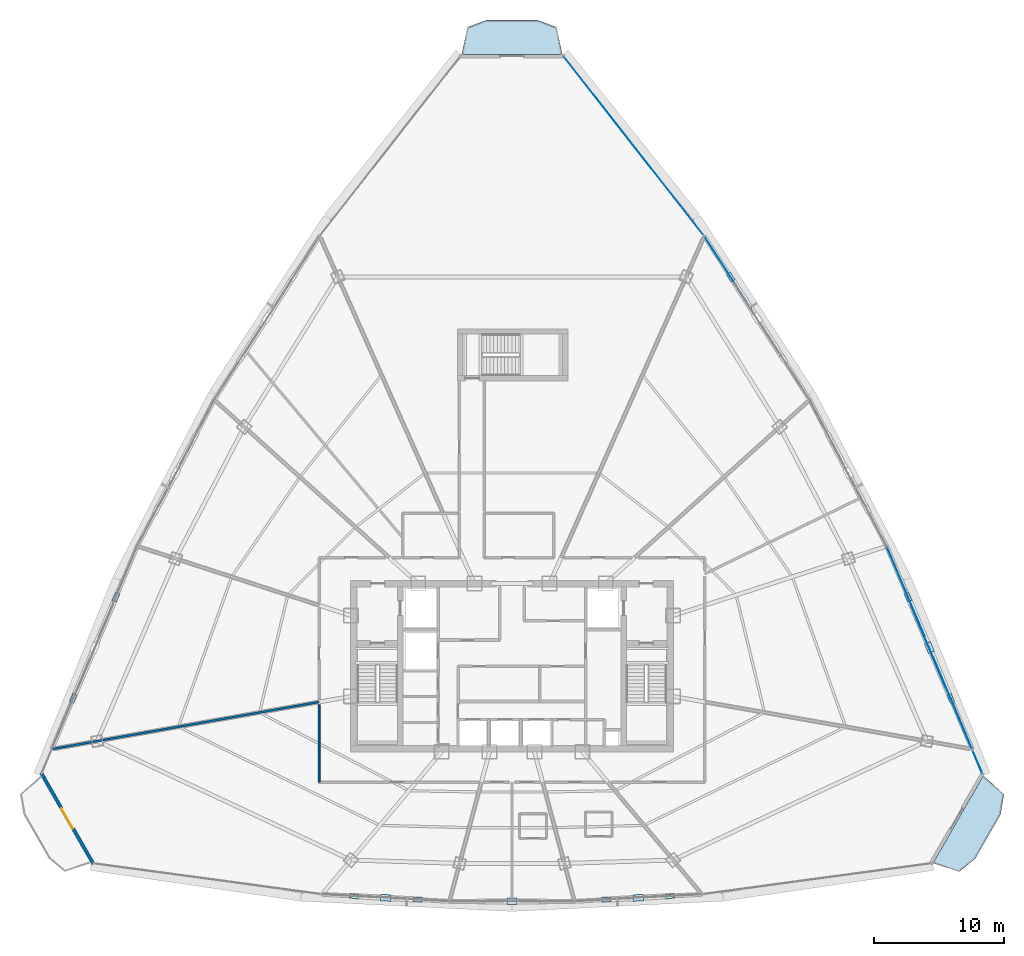
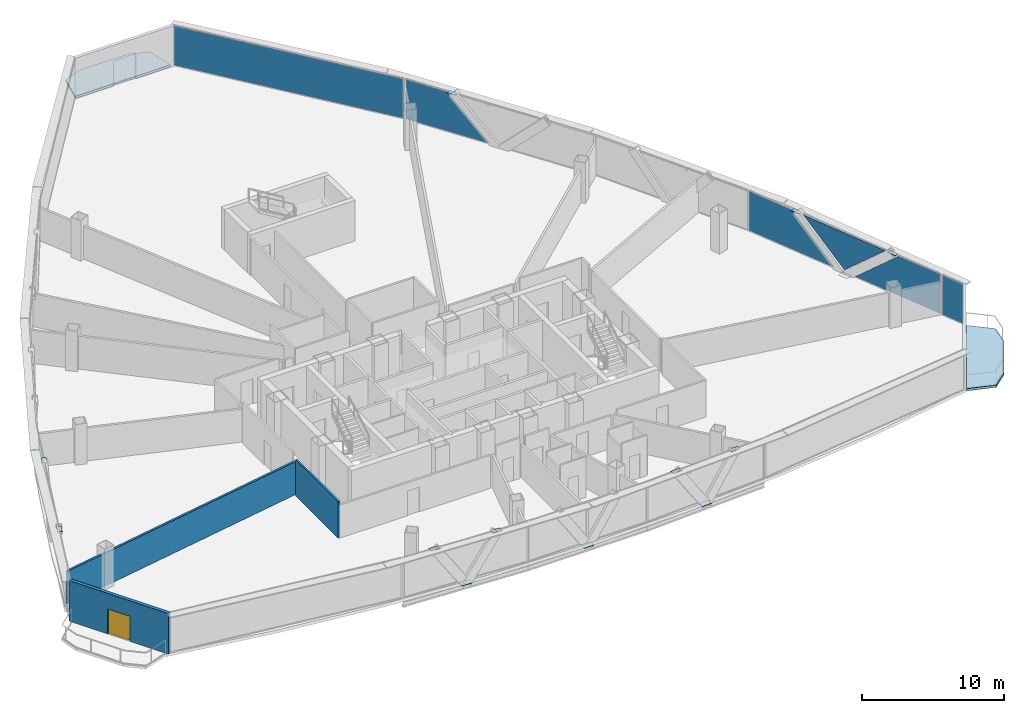
# One storey, part 26 of 34: 19 plates, 3 walls, 2 slabs, 1 door, 1 opening, 4 elements without a shape of their own.
"""IFC4 building model written with IfcOpenShell, lengths in metres."""

from ifc_helpers import new_model, si_unit, direction, frame, frame_2d, origin, origin_with_axes, origin_2d, place, context, subcontext, project, spatial, polyline, rectangle, outline, extrude, source, transform, mapped, material, layer, layer_set, type_object, element, fill, aggregate, save


model = new_model("IFC4")

# Units and contexts
model_context = context("Model", 3, precision=1e-05, world=origin(), true_north=direction((0.0, 1.0)))
body_context = subcontext(model_context, "Body", "Model", "MODEL_VIEW")
ifc_project = project(units=[si_unit("LENGTHUNIT", "METRE"), si_unit("AREAUNIT", "SQUARE_METRE"), si_unit("VOLUMEUNIT", "CUBIC_METRE"), si_unit("PLANEANGLEUNIT", "RADIAN"), si_unit("MASSUNIT", "GRAM", prefix="KILO"), si_unit("THERMODYNAMICTEMPERATUREUNIT", "KELVIN"), si_unit("POWERUNIT", "WATT")], contexts=[model_context])

# Site, building, storey
site_placement = place(None, origin())
site = spatial("IfcSite", under=ifc_project, at=site_placement, CompositionType="ELEMENT")
building_placement = place(site_placement, origin())
building = spatial("IfcBuilding", under=site, at=building_placement, Name="Yunzhuo Pagoda Commons", CompositionType="ELEMENT")
storey_placement = place(building_placement, frame((0.0, 0.0, 233.340087890625)))
storey = spatial("IfcBuildingStorey", under=building, at=storey_placement, Name="L58", CompositionType="ELEMENT", Elevation=233.340087890625)

# Curtain wall, plates
ifc_material_1 = material(Name="Anodized aluminium 6063-T6", Category="aluminium")
ifc_layer_1 = layer(ifc_material_1, 0.139892578125)
ifc_layer_set_1 = layer_set([ifc_layer_1], Name="Anodized aluminium 6063-T6")
curtain_wall_type = type_object("IfcCurtainWallType", Name="CW-HI High-Zone Ribbon Curtain Wall", PredefinedType="NOTDEFINED", material=ifc_layer_set_1)
curtain_wall_1_placement = place(storey_placement, origin())
curtain_wall_1 = element("IfcCurtainWall", 1, at=curtain_wall_1_placement, inside=storey, type_object=curtain_wall_type, Name="L58 curtain wall CW-L58-F2B2", PredefinedType="NOTDEFINED")
ifc_material_2 = material(Name="Tempered low-e double glazing", Category="glass")
ifc_layer_2 = layer(ifc_material_2, 0.02587890625)
ifc_layer_set_2 = layer_set([ifc_layer_2], Name="Tempered low-e double glazing")
plate_type_1 = type_object("IfcPlateType", Name="CW-HI-P Low-E Double Glazing 26", PredefinedType="CURTAIN_PANEL", material=ifc_layer_set_2)
plate_1_placement = place(storey_placement, frame((81.9345703125, 30.950927734375, 1.73486328125), z_axis=(0.92158893956, 0.388167266112, 0.0), x_axis=(-0.388167266112, 0.92158893956, 0.0)))
plate_1 = element("IfcPlate", 2, at=plate_1_placement, type_object=plate_type_1, Name="CW panel 1.1 lite 1", PredefinedType="CURTAIN_PANEL", context=body_context, shape_type="SweptSolid", body=[
    extrude(outline(polyline([(-3.740234375, -1.679931640625), (3.740234375, -1.679931640625), (-0.076171875, 1.679931640625), (-3.740234375, 1.679931640625), (-3.740234375, -1.679931640625)])), origin(), (0.0, 0.0, 1.0), 0.028076171875),
])
plate_2_placement = place(storey_placement, frame((80.0927734375, 35.24609375, 1.83056640625), z_axis=(0.92158893956, 0.388167266112, 0.0), x_axis=(-0.388167266112, 0.92158893956, 0.0)))
plate_2 = element("IfcPlate", 3, at=plate_2_placement, type_object=plate_type_1, Name="CW panel 1.1 lite 2", PredefinedType="CURTAIN_PANEL", context=body_context, shape_type="SweptSolid", body=[
    extrude(outline(polyline([(-3.59912109375, 1.58447265625), (0.0, -1.58447265625), (3.59912109375, 1.58447265625), (-3.59912109375, 1.58447265625)])), origin(), (0.0, 0.0, 1.0), 0.028076171875),
])
plate_3_placement = place(storey_placement, frame((78.306396484375, 39.564453125, 1.73486328125), z_axis=(0.92158893956, 0.388167266112, 0.0), x_axis=(-0.388167266112, 0.92158893956, 0.0)))
plate_3 = element("IfcPlate", 4, at=plate_3_placement, type_object=plate_type_1, Name="CW panel 1.1 lite 3", PredefinedType="CURTAIN_PANEL", context=body_context, shape_type="SweptSolid", body=[
    extrude(outline(polyline([(-3.740234375, -1.679931640625), (3.740234375, -1.679931640625), (3.740234375, 1.679931640625), (0.076171875, 1.679931640625), (-3.740234375, -1.679931640625)])), origin(), (0.0, 0.0, 1.0), 0.028076171875),
])
aggregate(curtain_wall_1, [plate_1, plate_2, plate_3])

# Curtain wall, plate
curtain_wall_2_placement = place(storey_placement, origin())
curtain_wall_2 = element("IfcCurtainWall", 5, at=curtain_wall_2_placement, inside=storey, type_object=curtain_wall_type, Name="L58 curtain wall CW-L58-F2B4", PredefinedType="NOTDEFINED")
plate_4_placement = place(storey_placement, frame((64.60546875, 64.12255859375, 1.73486328125), z_axis=(0.840807373352, 0.541334426133, 0.0), x_axis=(-0.541334426133, 0.840807373352, 0.0)))
plate_4 = element("IfcPlate", 6, at=plate_4_placement, type_object=plate_type_1, Name="CW panel 1.1 lite 3", PredefinedType="CURTAIN_PANEL", context=body_context, shape_type="SweptSolid", body=[
    extrude(outline(polyline([(-3.29150390625, -1.679931640625), (3.29150390625, -1.679931640625), (3.29150390625, 1.679931640625), (0.085693359375, 1.679931640625), (-3.29150390625, -1.679931640625)])), origin(), (0.0, 0.0, 1.0), 0.028076171875),
])
aggregate(curtain_wall_2, [plate_4])

# Slabs
ifc_material_3 = material(Name="Concrete C40", Category="concrete")
ifc_layer_3 = layer(ifc_material_3, 0.199951171875)
ifc_layer_set_3 = layer_set([ifc_layer_3], Name="Concrete C40")
slab_type = type_object("IfcSlabType", Name="SL-BAL Vertex Balcony Deck Slab 200", PredefinedType="FLOOR", material=ifc_layer_set_3)
slab_1_placement = place(storey_placement, frame((0.0, 0.0, -0.2001953125)))
element("IfcSlab", 7, at=slab_1_placement, inside=storey, type_object=slab_type, Name="L58 corner balcony V2", PredefinedType="FLOOR", context=body_context, shape_type="SweptSolid", body=[
    extrude(outline(polyline([(80.411865234375, 18.67041015625), (84.282470703125, 25.412109375), (85.875244140625, 23.978515625), (85.608642578125, 22.40966796875), (83.67333984375, 19.038818359375), (82.45263671875, 18.017578125), (80.411865234375, 18.67041015625)])), origin(), (0.0, 0.0, 1.0), 0.2001953125),
])
slab_2_placement = place(storey_placement, frame((0.0, 0.0, -0.2001953125)))
element("IfcSlab", 8, at=slab_2_placement, inside=storey, type_object=slab_type, Name="L58 corner balcony V3", PredefinedType="FLOOR", context=body_context, shape_type="SweptSolid", body=[
    extrude(outline(polyline([(51.870849609375, 80.93701171875), (44.129150390625, 80.93701171875), (44.5791015625, 83.031982421875), (46.064697265625, 83.581787109375), (49.935302734375, 83.581787109375), (51.4208984375, 83.031982421875), (51.870849609375, 80.93701171875)])), origin(), (0.0, 0.0, 1.0), 0.2001953125),
])

# Plates
ifc_material_4 = material(Name="Structural steel Q355B", Category="steel")
ifc_layer_4 = layer(ifc_material_4, 0.028076171875)
ifc_layer_set_4 = layer_set([ifc_layer_4], Name="Structural steel Q355B")
plate_type_2 = type_object("IfcPlateType", Name="SP-ND1 Lattice Node Cap Plate 800x500x28", PredefinedType="USERDEFINED", material=ifc_layer_set_4)
shared_shape_1 = source(origin(), body_context, "Body", "SweptSolid", [
    extrude(rectangle(XDim=0.800048828125, YDim=0.5, at=origin_2d()), origin(), (0.0, 0.0, 1.0), 0.028076171875),
])
for number, where, z_axis, x_axis, name in (
    (9, (38.281494140625, 16.00341796875, -0.27392578125), (0.0, 0.0, 1.0), (0.998487178719, -0.054985033724, 0.0), "L58 diamond node plate F1.1A"),
    (10, (48.0, 15.7333984375, -0.27392578125), (0.0, 0.0, 1.0), (1.0, 0.0, 0.0), "L58 diamond node plate F1.2A"),
    (11, (57.718505859375, 16.00341796875, -0.27392578125), (0.0, 0.0, 1.0), (0.998487178719, 0.054985033724, 0.0), "L58 diamond node plate F1.3A"),
    (12, (80.13330078125, 35.26318359375, -0.27392578125), (0.0, 0.0, 1.0), (-0.388175158617, 0.921585615248, 0.0), "L58 diamond node plate F2.1A"),
):
    element("IfcPlate", number, at=place(storey_placement, frame(where, z_axis=z_axis, x_axis=x_axis)), inside=storey, type_object=plate_type_2, Name=name, ObjectType="STIFFENER_PLATE", PredefinedType="USERDEFINED", context=body_context, shape_type="MappedRepresentation", body=[
        mapped(shared_shape_1, transform((0.0, 0.0, 0.0), scale=1.0)),
    ])
shared_shape_2 = source(origin(), body_context, "Body", "SweptSolid", [
    extrude(rectangle(XDim=0.699951171875, YDim=0.35009765625, at=origin_2d()), origin(), (0.0, 0.0, 1.0), 0.035888671875),
])
for number, where, z_axis, x_axis, name in (
    (13, (35.829345703125, 16.138427734375, 3.43212890625), (0.0, 0.0, 1.0), (0.998487178719, -0.054985033724, 0.0), "L58 setback lattice tie plate F1.1L"),
    (14, (40.733642578125, 15.868408203125, 3.43212890625), (0.0, 0.0, 1.0), (0.998487178719, -0.054985033724, 0.0), "L58 setback lattice tie plate F1.1R"),
    (15, (55.266357421875, 15.868408203125, 3.43212890625), (0.0, 0.0, 1.0), (0.998487178719, 0.054985033724, 0.0), "L58 setback lattice tie plate F1.3L"),
    (16, (60.170654296875, 16.138427734375, 3.43212890625), (0.0, 0.0, 1.0), (0.998487178719, 0.054985033724, 0.0), "L58 setback lattice tie plate F1.3R"),
    (17, (81.778076171875, 31.358642578125, 3.43212890625), (0.0, 0.0, 1.0), (-0.388175158617, 0.921585615248, 0.0), "L58 setback lattice tie plate F2.1L"),
    (18, (78.48876953125, 39.16748046875, 3.43212890625), (0.0, 0.0, 1.0), (-0.388175158617, 0.921585615248, 0.0), "L58 setback lattice tie plate F2.1R"),
    (19, (64.83251953125, 63.795654296875, 3.43212890625), (0.0, 0.0, 1.0), (-0.541341392357, 0.840802888269, 0.0), "L58 setback lattice tie plate F2.3R"),
    (20, (17.51123046875, 39.16748046875, 3.43212890625), (0.0, 0.0, 1.0), (-0.388175158617, -0.921585615248, 0.0), "L58 setback lattice tie plate F3.3L"),
    (21, (14.221923828125, 31.358642578125, 3.43212890625), (0.0, 0.0, 1.0), (-0.388175158617, -0.921585615248, 0.0), "L58 setback lattice tie plate F3.3R"),
):
    element("IfcPlate", number, at=place(storey_placement, frame(where, z_axis=z_axis, x_axis=x_axis)), inside=storey, type_object=plate_type_2, Name=name, ObjectType="STIFFENER_PLATE", PredefinedType="USERDEFINED", context=body_context, shape_type="MappedRepresentation", body=[
        mapped(shared_shape_2, transform((0.0, 0.0, 0.0), scale=1.0)),
    ])

# Curtain wall, plate
curtain_wall_3_placement = place(storey_placement, origin())
curtain_wall_3 = element("IfcCurtainWall", 22, at=curtain_wall_3_placement, inside=storey, type_object=curtain_wall_type, Name="L58 curtain wall CW-L58-F2B1", PredefinedType="NOTDEFINED")
shared_shape_3 = source(origin(), body_context, "Body", "SweptSolid", [
    extrude(rectangle(XDim=1.85595703125, YDim=0.028076171875, at=origin_2d()), origin(), (0.0, 0.0, 1.0), 3.360107421875),
])
plate_5_placement = place(storey_placement, frame((83.83203125, 26.47314453125, 0.0546875), z_axis=(0.0, 0.0, 1.0), x_axis=(-0.385344767667, 0.922772675165, 0.0)))
plate_5 = element("IfcPlate", 23, at=plate_5_placement, type_object=plate_type_1, Name="CW panel 1.1", PredefinedType="CURTAIN_PANEL", context=body_context, shape_type="MappedRepresentation", body=[
    mapped(shared_shape_3, transform((0.0, 0.0, 0.0), scale=1.0)),
])
aggregate(curtain_wall_3, [plate_5])

curtain_wall_4_placement = place(storey_placement, origin())
curtain_wall_4 = element("IfcCurtainWall", 24, at=curtain_wall_4_placement, inside=storey, type_object=curtain_wall_type, Name="L58 curtain wall CW-L58-F2B5", PredefinedType="NOTDEFINED")
shared_shape_4 = source(origin(), body_context, "Body", "SweptSolid", [
    extrude(rectangle(XDim=17.39404296875, YDim=0.028076171875, at=origin_2d()), origin(), (0.0, 0.0, 1.0), 3.360107421875),
])
plate_6_placement = place(storey_placement, frame((57.361328125, 73.904541015625, 0.0546875), z_axis=(0.0, 0.0, 1.0), x_axis=(-0.616136433127, 0.787639445288, 0.0)))
plate_6 = element("IfcPlate", 25, at=plate_6_placement, type_object=plate_type_1, Name="CW panel 1.1", PredefinedType="CURTAIN_PANEL", context=body_context, shape_type="MappedRepresentation", body=[
    mapped(shared_shape_4, transform((0.0, 0.0, 0.0), scale=1.0)),
])
aggregate(curtain_wall_4, [plate_6])

# Wall, opening, door
ifc_material_5 = material(Name="Precast concrete C40", Category="concrete")
ifc_layer_5 = layer(ifc_material_5, 0.260009765625)
ifc_layer_set_5 = layer_set([ifc_layer_5], Name="Precast concrete C40")
wall_type_1 = type_object("IfcWallType", Name="W-BAL1 Corner Balcony Threshold Wall 260", PredefinedType="STANDARD", material=ifc_layer_set_5)
wall_1_placement = place(storey_placement, frame((11.759765625, 25.609375, 0.0), z_axis=(0.0, 0.0, 1.0), x_axis=(0.49791595327, -0.867225289921, 0.0)))
wall_1 = element("IfcWall", 26, at=wall_1_placement, inside=storey, type_object=wall_type_1, Name="L58 corner balcony wall V1", PredefinedType="STANDARD", context=body_context, shape_type="SweptSolid", body=[
    extrude(rectangle(XDim=8.07373046875, YDim=0.260009765625, at=frame_2d((4.036865234375, 0.0))), origin(), (0.0, 0.0, 1.0), 3.469970703125),
])
opening_placement = place(wall_1_placement, frame((3.136962890625, 0.0, 0.0)))
opening = element("IfcOpeningElement", 27, at=opening_placement, cuts=wall_1, Name="Opening D-BAL1", PredefinedType="OPENING", context=body_context, shape_type="SweptSolid", body=[
    extrude(rectangle(XDim=1.800048828125, YDim=2.14990234375, at=frame_2d((0.89990234375, 1.074951171875))), frame((0.0, 0.14013671875, 0.0), z_axis=(0.0, -1.0, 0.0), x_axis=(1.0, 0.0, 0.0)), (0.0, 0.0, 1.0), 0.280029296875),
])
ifc_material_6 = material(Name="Anodized aluminium frame and tempered glazed leaf", Category="aluminium")
door_type = type_object("IfcDoorType", Name="D-BAL1 Corner Balcony Sliding Glazed Door 1800x2150", OperationType="DOUBLE_DOOR_SLIDING", PredefinedType="DOOR", material=ifc_material_6)
shared_shape_5 = source(origin(), body_context, "Body", "SweptSolid", [
    extrude(rectangle(XDim=1.800048828125, YDim=2.14990234375, at=frame_2d((0.89990234375, 1.074951171875))), frame((0.0, 0.02490234375, 0.0), z_axis=(0.0, -1.0, 0.0), x_axis=(1.0, 0.0, 0.0)), (0.0, 0.0, 1.0), 0.050048828125),
])
door_placement = place(opening_placement, origin_with_axes())
door = element("IfcDoor", 28, at=door_placement, inside=storey, type_object=door_type, Name="L58 corner balcony sliding door V1", OperationType="DOUBLE_DOOR_SLIDING", OverallHeight=2.14990234375, OverallWidth=1.800048828125, PredefinedType="DOOR", context=body_context, shape_type="MappedRepresentation", body=[
    mapped(shared_shape_5, transform((0.0, 0.0, 0.0), scale=1.0)),
])
fill(opening, door)

# Walls
ifc_material_7 = material(Name="Gypsum plasterboard on acoustic stud")
ifc_layer_6 = layer(ifc_material_7, 0.14990234375)
ifc_layer_set_6 = layer_set([ifc_layer_6], Name="Gypsum plasterboard on acoustic stud")
wall_type_2 = type_object("IfcWallType", Name="W-COR3 High-Zone Rated Corridor Wall 150", PredefinedType="PARTITIONING", material=ifc_layer_set_6)
wall_2_placement = place(storey_placement, frame((33.14990234375, 24.89990234375, 0.0), z_axis=(0.0, 0.0, 1.0), x_axis=(0.0, 1.0, 0.0)))
element("IfcWall", 29, at=wall_2_placement, inside=storey, type_object=wall_type_2, Name="L58 interior wall IW-L58-CWL01", PredefinedType="PARTITIONING", context=body_context, shape_type="SweptSolid", body=[
    extrude(rectangle(XDim=5.958251953125, YDim=0.14990234375, at=frame_2d((2.97900390625, 0.0))), origin(), (0.0, 0.0, 1.0), 3.119873046875),
])
ifc_layer_7 = layer(ifc_material_7, 0.169921875)
ifc_layer_set_7 = layer_set([ifc_layer_7], Name="Gypsum plasterboard on acoustic stud")
wall_type_3 = type_object("IfcWallType", Name="W-PRT4 High-Zone Demising Wall 170", PredefinedType="PARTITIONING", material=ifc_layer_set_7)
wall_3_placement = place(storey_placement, frame((33.14990234375, 31.08154296875, 0.0), z_axis=(0.0, 0.0, 1.0), x_axis=(-0.984808138799, -0.17364598975, 0.0)))
element("IfcWall", 30, at=wall_3_placement, inside=storey, type_object=wall_type_3, Name="L58 interior wall IW-L58-RAD08", PredefinedType="PARTITIONING", context=body_context, shape_type="SweptSolid", body=[
    extrude(rectangle(XDim=20.889892578125, YDim=0.169921875, at=frame_2d((10.44482421875, 0.0))), origin(), (0.0, 0.0, 1.0), 2.81982421875),
])

save(model, "model.ifc")
